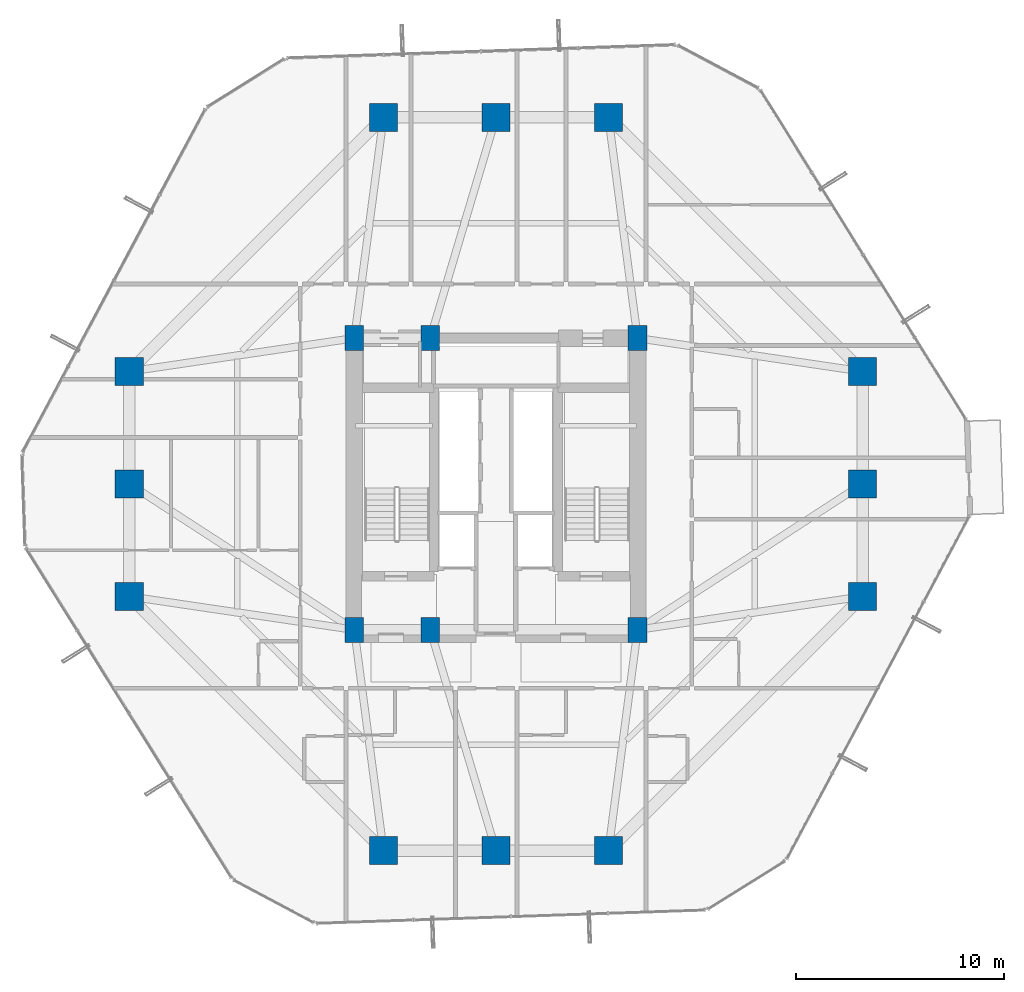
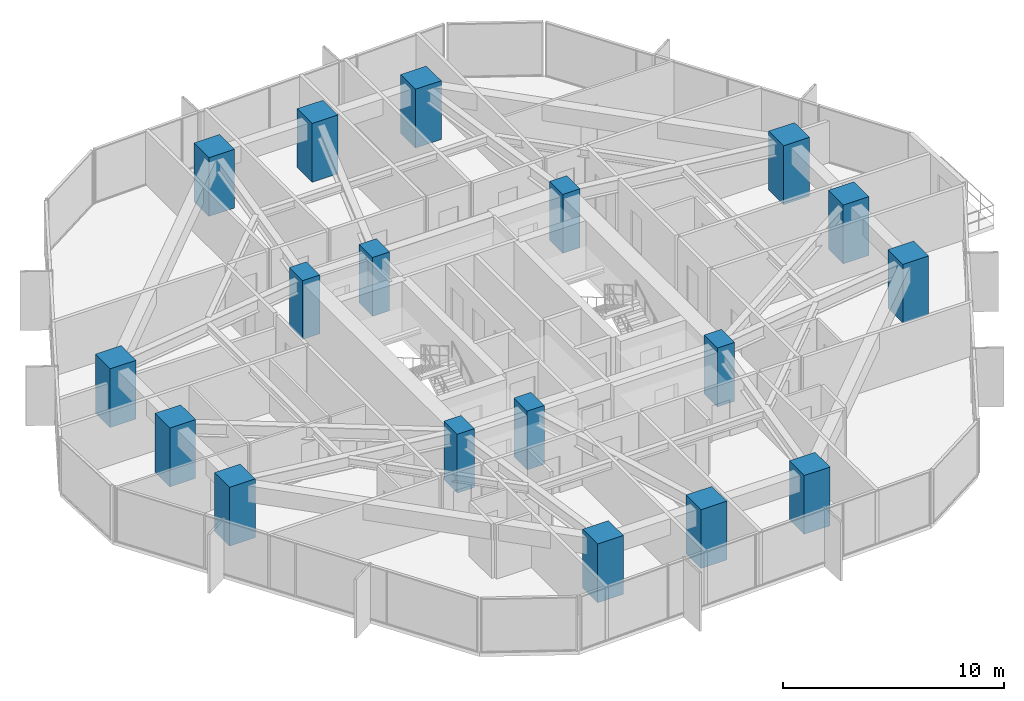
# One storey, part 1 of 39: 18 columns.
"""IFC4 building model written with IfcOpenShell, lengths in metres."""

from ifc_helpers import new_model, si_unit, direction, frame, origin, origin_2d, place, context, subcontext, project, spatial, rectangle, extrude, material, material_profile, profile_set, type_object, element, save


model = new_model("IFC4")

# Units and contexts
model_context = context("Model", 3, precision=1e-05, world=origin(), true_north=direction((0.0, 1.0)))
body_context = subcontext(model_context, "Body", "Model", "MODEL_VIEW")
ifc_project = project(units=[si_unit("LENGTHUNIT", "METRE"), si_unit("AREAUNIT", "SQUARE_METRE"), si_unit("VOLUMEUNIT", "CUBIC_METRE"), si_unit("PLANEANGLEUNIT", "RADIAN"), si_unit("MASSUNIT", "GRAM", prefix="KILO")], contexts=[model_context])

# Site, building, storey
site_placement = place(None, origin())
site = spatial("IfcSite", under=ifc_project, at=site_placement, CompositionType="ELEMENT")
building_placement = place(site_placement, origin())
building = spatial("IfcBuilding", under=site, at=building_placement, Name="Veraguas Prism Commons", CompositionType="ELEMENT")
storey_placement = place(building_placement, frame((0.0, 0.0, 30.550048828125)))
storey = spatial("IfcBuildingStorey", under=building, at=storey_placement, Name="L07", CompositionType="ELEMENT", Elevation=30.550048828125)

# Columns
ifc_material = material(Name="Concrete C60/75", Category="concrete")
ifc_material_profile_1 = material_profile(ifc_material, rectangle(XDim=1.35009765625, YDim=1.35009765625, at=origin_2d()), Name="RC1350X1350")
ifc_profile_set_1 = profile_set([ifc_material_profile_1], Name="Concrete C60/75")
column_type_1 = type_object("IfcColumnType", Name="Column Tube Z1 RC 1350x1350", PredefinedType="COLUMN", material=ifc_profile_set_1)
for number, where, z_axis, x_axis, name in (
    (1, (41.60009765625, 18.60009765625, 0.0), (0.0, 0.0, 1.0), (1.0, 0.0, 0.0), "Tower Perimeter Column L07-TB01"),
    (2, (41.60009765625, 24.0, 0.0), (0.0, 0.0, 1.0), (1.0, 0.0, 0.0), "Tower Perimeter Column L07-TB02"),
    (3, (41.60009765625, 29.39990234375, 0.0), (0.0, 0.0, 1.0), (1.0, 0.0, 0.0), "Tower Perimeter Column L07-TB03"),
    (4, (29.39990234375, 41.60009765625, 0.0), (0.0, 0.0, 1.0), (1.0, 0.0, 0.0), "Tower Perimeter Column L07-TB04"),
    (5, (24.0, 41.60009765625, 0.0), (0.0, 0.0, 1.0), (1.0, 0.0, 0.0), "Tower Perimeter Column L07-TB05"),
    (6, (18.60009765625, 41.60009765625, 0.0), (0.0, 0.0, 1.0), (1.0, 0.0, 0.0), "Tower Perimeter Column L07-TB06"),
    (7, (6.39990234375, 29.39990234375, 0.0), (0.0, 0.0, 1.0), (1.0, 0.0, 0.0), "Tower Perimeter Column L07-TB07"),
    (8, (6.39990234375, 24.0, 0.0), (0.0, 0.0, 1.0), (1.0, 0.0, 0.0), "Tower Perimeter Column L07-TB08"),
    (9, (6.39990234375, 18.60009765625, 0.0), (0.0, 0.0, 1.0), (1.0, 0.0, 0.0), "Tower Perimeter Column L07-TB09"),
    (10, (18.60009765625, 6.39990234375, 0.0), (0.0, 0.0, 1.0), (1.0, 0.0, 0.0), "Tower Perimeter Column L07-TB10"),
    (11, (24.0, 6.39990234375, 0.0), (0.0, 0.0, 1.0), (1.0, 0.0, 0.0), "Tower Perimeter Column L07-TB11"),
    (12, (29.39990234375, 6.39990234375, 0.0), (0.0, 0.0, 1.0), (1.0, 0.0, 0.0), "Tower Perimeter Column L07-TB12"),
):
    element("IfcColumn", number, at=place(storey_placement, frame(where, z_axis=z_axis, x_axis=x_axis)), inside=storey, type_object=column_type_1, Name=name, PredefinedType="COLUMN", context=body_context, shape_type="SweptSolid", body=[
        extrude(rectangle(XDim=1.35009765625, YDim=1.35009765625, at=origin_2d()), origin(), (0.0, 0.0, 1.0), 3.25),
    ])
ifc_material_profile_2 = material_profile(ifc_material, rectangle(XDim=0.89990234375, YDim=1.199951171875, at=origin_2d()), Name="RC900X1200")
ifc_profile_set_2 = profile_set([ifc_material_profile_2], Name="Concrete C60/75")
column_type_2 = type_object("IfcColumnType", Name="Pilaster Core Lower RC 900x1200", PredefinedType="PILASTER", material=ifc_profile_set_2)
for number, where, z_axis, x_axis, name in (
    (13, (17.199951171875, 17.0, 0.0), (0.0, 0.0, 1.0), (1.0, 0.0, 0.0), "Core Pilaster Column L07-CR1"),
    (14, (20.85009765625, 17.0, 0.0), (0.0, 0.0, 1.0), (1.0, 0.0, 0.0), "Core Pilaster Column L07-CR2"),
    (15, (30.800048828125, 17.0, 0.0), (0.0, 0.0, 1.0), (1.0, 0.0, 0.0), "Core Pilaster Column L07-CR3"),
    (16, (17.199951171875, 31.0, 0.0), (0.0, 0.0, 1.0), (1.0, 0.0, 0.0), "Core Pilaster Column L07-CR4"),
    (17, (20.85009765625, 31.0, 0.0), (0.0, 0.0, 1.0), (1.0, 0.0, 0.0), "Core Pilaster Column L07-CR5"),
    (18, (30.800048828125, 31.0, 0.0), (0.0, 0.0, 1.0), (1.0, 0.0, 0.0), "Core Pilaster Column L07-CR6"),
):
    element("IfcColumn", number, at=place(storey_placement, frame(where, z_axis=z_axis, x_axis=x_axis)), inside=storey, type_object=column_type_2, Name=name, PredefinedType="PILASTER", context=body_context, shape_type="SweptSolid", body=[
        extrude(rectangle(XDim=0.89990234375, YDim=1.199951171875, at=origin_2d()), origin(), (0.0, 0.0, 1.0), 3.25),
    ])

save(model, "model.ifc")
